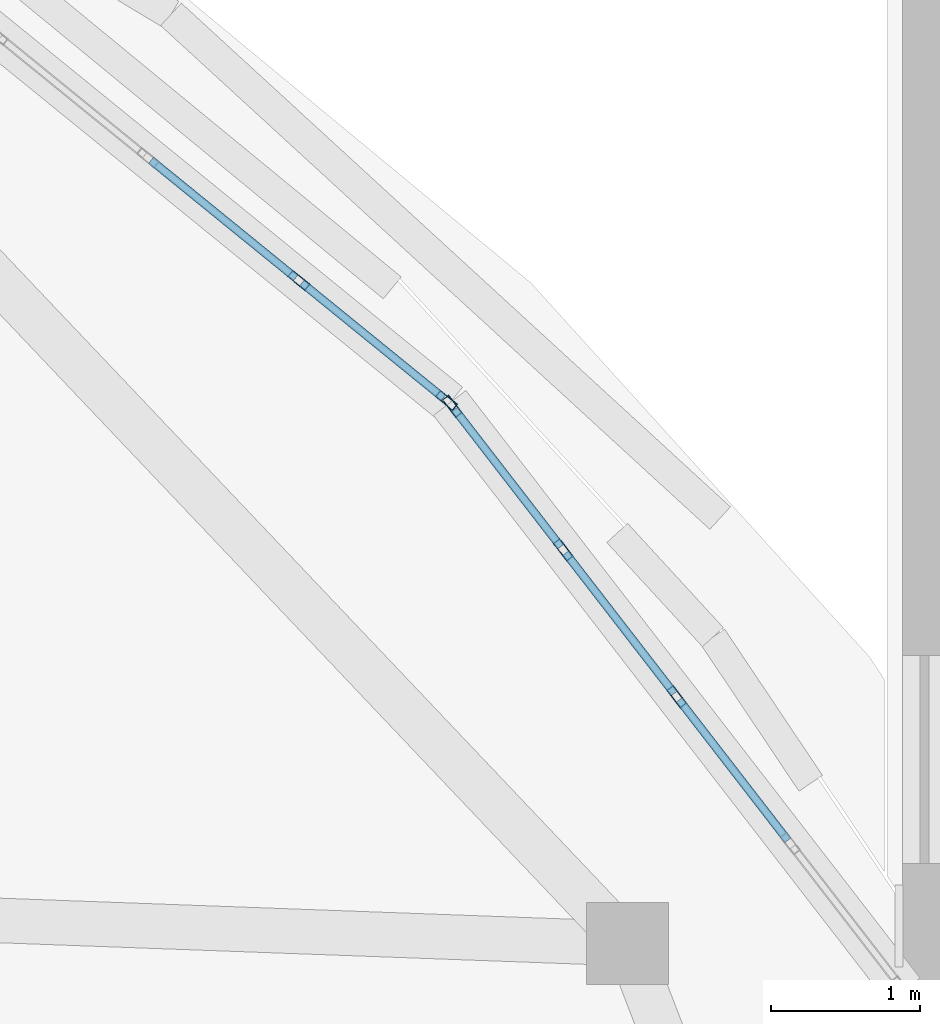
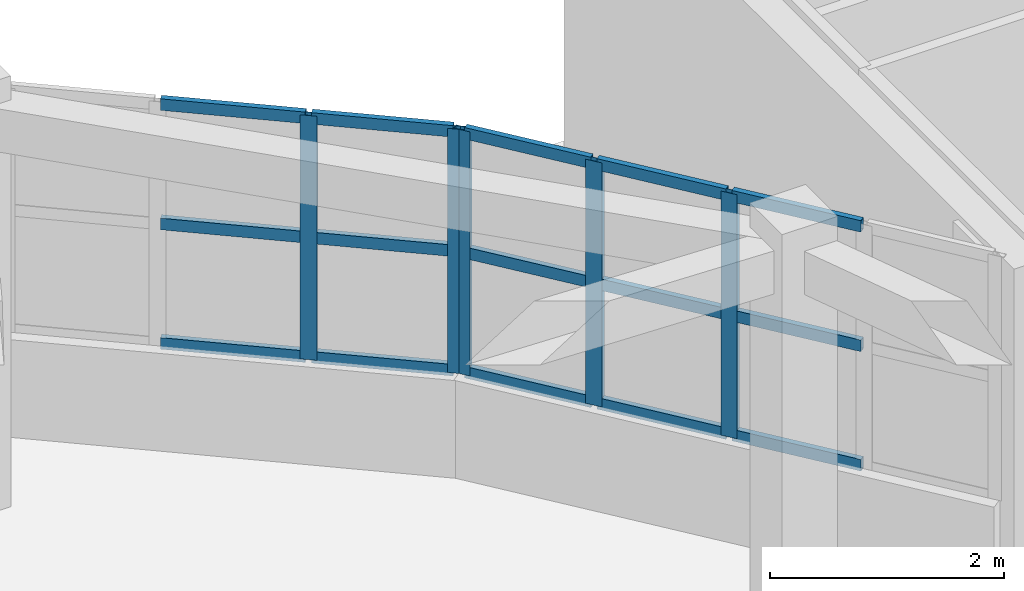
# One storey, part 23 of 46: 20 members, 2 elements without a shape of their own.
"""IFC4 building model written with IfcOpenShell, lengths in metres."""

from ifc_helpers import new_model, si_unit, direction, frame, origin, origin_2d, place, context, subcontext, project, spatial, hollow_rectangle, extrude, material, layer, layer_set, material_profile, profile_set, type_object, element, aggregate, save


model = new_model("IFC4")

# Units and contexts
model_context = context("Model", 3, precision=1e-05, world=origin(), true_north=direction((0.0, 1.0)))
body_context = subcontext(model_context, "Body", "Model", "MODEL_VIEW")
ifc_project = project(units=[si_unit("LENGTHUNIT", "METRE"), si_unit("AREAUNIT", "SQUARE_METRE"), si_unit("VOLUMEUNIT", "CUBIC_METRE"), si_unit("PLANEANGLEUNIT", "RADIAN"), si_unit("MASSUNIT", "GRAM", prefix="KILO")], contexts=[model_context])

# Site, building, storey
site_placement = place(None, origin())
site = spatial("IfcSite", under=ifc_project, at=site_placement, CompositionType="ELEMENT")
building_placement = place(site_placement, origin())
building = spatial("IfcBuilding", under=site, at=building_placement, Name="Pelvatis Terrace Science Centre", CompositionType="ELEMENT")
storey_placement = place(building_placement, frame((0.0, 0.0, 19.800048828125)))
storey = spatial("IfcBuildingStorey", under=building, at=storey_placement, Name="L04", CompositionType="ELEMENT", Elevation=19.800048828125)

# Curtain wall, members
ifc_material_1 = material(Name="Bronze-anodised aluminium and laminated glass", Category="aluminium")
ifc_layer = layer(ifc_material_1, 0.14990234375)
ifc_layer_set = layer_set([ifc_layer], Name="Bronze-anodised aluminium and laminated glass")
curtain_wall_type = type_object("IfcCurtainWallType", Name="CW-PASSAGE-C", PredefinedType="NOTDEFINED", material=ifc_layer_set)
curtain_wall_1_placement = place(storey_placement, origin())
curtain_wall_1 = element("IfcCurtainWall", 1, at=curtain_wall_1_placement, inside=storey, type_object=curtain_wall_type, Name="Ribbon curtain wall CW-213 (L04)", PredefinedType="NOTDEFINED")
ifc_material_2 = material(Name="Bronze-anodised aluminium 6063-T6", Category="aluminium")
ifc_material_profile_1 = material_profile(ifc_material_2, hollow_rectangle(XDim=0.054931640625, YDim=0.14990234375, WallThickness=0.00390625, at=origin_2d()), Name="ALU-MUL 55x150")
ifc_profile_set_1 = profile_set([ifc_material_profile_1], Name="Bronze-anodised aluminium 6063-T6")
member_type_1 = type_object("IfcMemberType", Name="CWM-55x150", PredefinedType="MULLION", material=ifc_profile_set_1)
member_1_placement = place(storey_placement, frame((131.181884765625, 95.623046875, 1.02001953125), z_axis=(0.0, 0.0, 1.0), x_axis=(-0.791180678019, -0.611582483994, 0.0)))
member_1 = element("IfcMember", 2, at=member_1_placement, type_object=member_type_1, Name="CW-213 mullion 3", PredefinedType="MULLION", context=body_context, shape_type="SweptSolid", body=[
    extrude(hollow_rectangle(XDim=0.054931640625, YDim=0.14990234375, WallThickness=0.00390625, at=origin_2d()), origin(), (0.0, 0.0, 1.0), 2.550048828125),
])
member_2_placement = place(storey_placement, frame((130.41796875, 96.611572265625, 1.02001953125), z_axis=(0.0, 0.0, 1.0), x_axis=(-0.791180678019, -0.611582483994, 0.0)))
member_2 = element("IfcMember", 3, at=member_2_placement, type_object=member_type_1, Name="CW-213 mullion 4", PredefinedType="MULLION", context=body_context, shape_type="SweptSolid", body=[
    extrude(hollow_rectangle(XDim=0.054931640625, YDim=0.14990234375, WallThickness=0.00390625, at=origin_2d()), origin(), (0.0, 0.0, 1.0), 2.550048828125),
])
member_3_placement = place(storey_placement, frame((129.6708984375, 97.578125, 1.02001953125), z_axis=(0.0, 0.0, 1.0), x_axis=(-0.791180678019, -0.611582483994, 0.0)))
member_3 = element("IfcMember", 4, at=member_3_placement, type_object=member_type_1, Name="CW-213 mullion 5", PredefinedType="MULLION", context=body_context, shape_type="SweptSolid", body=[
    extrude(hollow_rectangle(XDim=0.054931640625, YDim=0.14990234375, WallThickness=0.00390625, at=origin_2d()), origin(), (0.0, 0.0, 1.0), 2.550048828125),
])

curtain_wall_2_placement = place(storey_placement, origin())
curtain_wall_2 = element("IfcCurtainWall", 5, at=curtain_wall_2_placement, inside=storey, type_object=curtain_wall_type, Name="Ribbon curtain wall CW-214 (L04)", PredefinedType="NOTDEFINED")
member_4_placement = place(storey_placement, frame((129.632568359375, 97.6171875, 1.02001953125), z_axis=(0.0, 0.0, 1.0), x_axis=(-0.630757324963, -0.775980152456, 0.0)))
member_4 = element("IfcMember", 6, at=member_4_placement, type_object=member_type_1, Name="CW-214 mullion 1", PredefinedType="MULLION", context=body_context, shape_type="SweptSolid", body=[
    extrude(hollow_rectangle(XDim=0.054931640625, YDim=0.14990234375, WallThickness=0.00390625, at=origin_2d()), origin(), (0.0, 0.0, 1.0), 2.550048828125),
])
member_5_placement = place(storey_placement, frame((128.638671875, 98.425048828125, 1.02001953125), z_axis=(0.0, 0.0, 1.0), x_axis=(-0.630757324963, -0.775980152456, 0.0)))
member_5 = element("IfcMember", 7, at=member_5_placement, type_object=member_type_1, Name="CW-214 mullion 2", PredefinedType="MULLION", context=body_context, shape_type="SweptSolid", body=[
    extrude(hollow_rectangle(XDim=0.054931640625, YDim=0.14990234375, WallThickness=0.00390625, at=origin_2d()), origin(), (0.0, 0.0, 1.0), 2.550048828125),
])

# Member
ifc_material_3 = material(Name="Bronze-anodised aluminium 6063-T6", Category="aluminium")
ifc_material_profile_2 = material_profile(ifc_material_3, hollow_rectangle(XDim=0.054931640625, YDim=0.1201171875, WallThickness=0.00341796875, at=origin_2d()), Name="ALU-TRN 55x120")
ifc_profile_set_2 = profile_set([ifc_material_profile_2], Name="Bronze-anodised aluminium 6063-T6")
member_type_2 = type_object("IfcMemberType", Name="CWT-55x120", PredefinedType="USERDEFINED", material=ifc_profile_set_2)
member_6_placement = place(storey_placement, frame((131.92919921875, 94.656494140625, 1.04736328125), z_axis=(-0.611645297395, 0.791132119291, 0.0), x_axis=(-0.791132119291, -0.611645297395, 0.0)))
member_6 = element("IfcMember", 8, at=member_6_placement, type_object=member_type_2, Name="CW-213 transom 2.1", ObjectType="TRANSOM", PredefinedType="USERDEFINED", context=body_context, shape_type="SweptSolid", body=[
    extrude(hollow_rectangle(XDim=0.054931640625, YDim=0.1201171875, WallThickness=0.00341796875, at=origin_2d()), origin(), (0.0, 0.0, 1.0), 1.1943359375),
])

member_7_placement = place(storey_placement, frame((131.92919921875, 94.656494140625, 2.294921875), z_axis=(-0.611645297395, 0.791132119291, 0.0), x_axis=(-0.791132119291, -0.611645297395, 0.0)))
member_7 = element("IfcMember", 9, at=member_7_placement, type_object=member_type_2, Name="CW-213 transom 2.2", ObjectType="TRANSOM", PredefinedType="USERDEFINED", context=body_context, shape_type="SweptSolid", body=[
    extrude(hollow_rectangle(XDim=0.054931640625, YDim=0.1201171875, WallThickness=0.00341796875, at=origin_2d()), origin(), (0.0, 0.0, 1.0), 1.1943359375),
])

member_8_placement = place(storey_placement, frame((131.92919921875, 94.656494140625, 3.54248046875), z_axis=(-0.611645297395, 0.791132119291, 0.0), x_axis=(-0.791132119291, -0.611645297395, 0.0)))
member_8 = element("IfcMember", 10, at=member_8_placement, type_object=member_type_2, Name="CW-213 transom 2.3", ObjectType="TRANSOM", PredefinedType="USERDEFINED", context=body_context, shape_type="SweptSolid", body=[
    extrude(hollow_rectangle(XDim=0.054931640625, YDim=0.1201171875, WallThickness=0.00341796875, at=origin_2d()), origin(), (0.0, 0.0, 1.0), 1.1943359375),
])

member_9_placement = place(storey_placement, frame((131.1650390625, 95.64501953125, 1.04736328125), z_axis=(-0.611616260488, 0.791154567646, 0.0), x_axis=(-0.791154567646, -0.611616260488, 0.0)))
member_9 = element("IfcMember", 11, at=member_9_placement, type_object=member_type_2, Name="CW-213 transom 3.1", ObjectType="TRANSOM", PredefinedType="USERDEFINED", context=body_context, shape_type="SweptSolid", body=[
    extrude(hollow_rectangle(XDim=0.054931640625, YDim=0.1201171875, WallThickness=0.00341796875, at=origin_2d()), origin(), (0.0, 0.0, 1.0), 1.19384765625),
])

member_10_placement = place(storey_placement, frame((131.1650390625, 95.64501953125, 2.294921875), z_axis=(-0.611616260488, 0.791154567646, 0.0), x_axis=(-0.791154567646, -0.611616260488, 0.0)))
member_10 = element("IfcMember", 12, at=member_10_placement, type_object=member_type_2, Name="CW-213 transom 3.2", ObjectType="TRANSOM", PredefinedType="USERDEFINED", context=body_context, shape_type="SweptSolid", body=[
    extrude(hollow_rectangle(XDim=0.054931640625, YDim=0.1201171875, WallThickness=0.00341796875, at=origin_2d()), origin(), (0.0, 0.0, 1.0), 1.19384765625),
])

member_11_placement = place(storey_placement, frame((131.1650390625, 95.64501953125, 3.54248046875), z_axis=(-0.611616260488, 0.791154567646, 0.0), x_axis=(-0.791154567646, -0.611616260488, 0.0)))
member_11 = element("IfcMember", 13, at=member_11_placement, type_object=member_type_2, Name="CW-213 transom 3.3", ObjectType="TRANSOM", PredefinedType="USERDEFINED", context=body_context, shape_type="SweptSolid", body=[
    extrude(hollow_rectangle(XDim=0.054931640625, YDim=0.1201171875, WallThickness=0.00341796875, at=origin_2d()), origin(), (0.0, 0.0, 1.0), 1.19384765625),
])

member_12_placement = place(storey_placement, frame((130.401123046875, 96.63330078125, 1.04736328125), z_axis=(-0.611489191946, 0.791252783966, 0.0), x_axis=(-0.791252783966, -0.611489191946, 0.0)))
member_12 = element("IfcMember", 14, at=member_12_placement, type_object=member_type_2, Name="CW-213 transom 4.1", ObjectType="TRANSOM", PredefinedType="USERDEFINED", context=body_context, shape_type="SweptSolid", body=[
    extrude(hollow_rectangle(XDim=0.054931640625, YDim=0.1201171875, WallThickness=0.00341796875, at=origin_2d()), origin(), (0.0, 0.0, 1.0), 1.16650390625),
])

member_13_placement = place(storey_placement, frame((130.401123046875, 96.63330078125, 2.294921875), z_axis=(-0.611489191946, 0.791252783966, 0.0), x_axis=(-0.791252783966, -0.611489191946, 0.0)))
member_13 = element("IfcMember", 15, at=member_13_placement, type_object=member_type_2, Name="CW-213 transom 4.2", ObjectType="TRANSOM", PredefinedType="USERDEFINED", context=body_context, shape_type="SweptSolid", body=[
    extrude(hollow_rectangle(XDim=0.054931640625, YDim=0.1201171875, WallThickness=0.00341796875, at=origin_2d()), origin(), (0.0, 0.0, 1.0), 1.16650390625),
])

member_14_placement = place(storey_placement, frame((130.401123046875, 96.63330078125, 3.54248046875), z_axis=(-0.611489191946, 0.791252783966, 0.0), x_axis=(-0.791252783966, -0.611489191946, 0.0)))
member_14 = element("IfcMember", 16, at=member_14_placement, type_object=member_type_2, Name="CW-213 transom 4.3", ObjectType="TRANSOM", PredefinedType="USERDEFINED", context=body_context, shape_type="SweptSolid", body=[
    extrude(hollow_rectangle(XDim=0.054931640625, YDim=0.1201171875, WallThickness=0.00341796875, at=origin_2d()), origin(), (0.0, 0.0, 1.0), 1.16650390625),
])

aggregate(curtain_wall_1, [member_1, member_2, member_3, member_6, member_7, member_8, member_9, member_10, member_11, member_12, member_13, member_14])

member_15_placement = place(storey_placement, frame((129.611328125, 97.634521484375, 1.04736328125), z_axis=(-0.776046991119, 0.630675088754, 0.0), x_axis=(-0.630675088754, -0.776046991119, 0.0)))
member_15 = element("IfcMember", 17, at=member_15_placement, type_object=member_type_2, Name="CW-214 transom 1.1", ObjectType="TRANSOM", PredefinedType="USERDEFINED", context=body_context, shape_type="SweptSolid", body=[
    extrude(hollow_rectangle(XDim=0.054931640625, YDim=0.1201171875, WallThickness=0.00341796875, at=origin_2d()), origin(), (0.0, 0.0, 1.0), 1.22607421875),
])

member_16_placement = place(storey_placement, frame((129.611328125, 97.634521484375, 2.294921875), z_axis=(-0.776046991119, 0.630675088754, 0.0), x_axis=(-0.630675088754, -0.776046991119, 0.0)))
member_16 = element("IfcMember", 18, at=member_16_placement, type_object=member_type_2, Name="CW-214 transom 1.2", ObjectType="TRANSOM", PredefinedType="USERDEFINED", context=body_context, shape_type="SweptSolid", body=[
    extrude(hollow_rectangle(XDim=0.054931640625, YDim=0.1201171875, WallThickness=0.00341796875, at=origin_2d()), origin(), (0.0, 0.0, 1.0), 1.22607421875),
])

member_17_placement = place(storey_placement, frame((129.611328125, 97.634521484375, 3.54248046875), z_axis=(-0.776046991119, 0.630675088754, 0.0), x_axis=(-0.630675088754, -0.776046991119, 0.0)))
member_17 = element("IfcMember", 19, at=member_17_placement, type_object=member_type_2, Name="CW-214 transom 1.3", ObjectType="TRANSOM", PredefinedType="USERDEFINED", context=body_context, shape_type="SweptSolid", body=[
    extrude(hollow_rectangle(XDim=0.054931640625, YDim=0.1201171875, WallThickness=0.00341796875, at=origin_2d()), origin(), (0.0, 0.0, 1.0), 1.22607421875),
])

member_18_placement = place(storey_placement, frame((128.6171875, 98.4423828125, 1.04736328125), z_axis=(-0.775923329106, 0.630827224642, 0.0), x_axis=(-0.630827224642, -0.775923329106, 0.0)))
member_18 = element("IfcMember", 20, at=member_18_placement, type_object=member_type_2, Name="CW-214 transom 2.1", ObjectType="TRANSOM", PredefinedType="USERDEFINED", context=body_context, shape_type="SweptSolid", body=[
    extrude(hollow_rectangle(XDim=0.054931640625, YDim=0.1201171875, WallThickness=0.00341796875, at=origin_2d()), origin(), (0.0, 0.0, 1.0), 1.253662109375),
])

member_19_placement = place(storey_placement, frame((128.6171875, 98.4423828125, 2.294921875), z_axis=(-0.775923329106, 0.630827224642, 0.0), x_axis=(-0.630827224642, -0.775923329106, 0.0)))
member_19 = element("IfcMember", 21, at=member_19_placement, type_object=member_type_2, Name="CW-214 transom 2.2", ObjectType="TRANSOM", PredefinedType="USERDEFINED", context=body_context, shape_type="SweptSolid", body=[
    extrude(hollow_rectangle(XDim=0.054931640625, YDim=0.1201171875, WallThickness=0.00341796875, at=origin_2d()), origin(), (0.0, 0.0, 1.0), 1.253662109375),
])

member_20_placement = place(storey_placement, frame((128.6171875, 98.4423828125, 3.54248046875), z_axis=(-0.775923329106, 0.630827224642, 0.0), x_axis=(-0.630827224642, -0.775923329106, 0.0)))
member_20 = element("IfcMember", 22, at=member_20_placement, type_object=member_type_2, Name="CW-214 transom 2.3", ObjectType="TRANSOM", PredefinedType="USERDEFINED", context=body_context, shape_type="SweptSolid", body=[
    extrude(hollow_rectangle(XDim=0.054931640625, YDim=0.1201171875, WallThickness=0.00341796875, at=origin_2d()), origin(), (0.0, 0.0, 1.0), 1.253662109375),
])

aggregate(curtain_wall_2, [member_4, member_5, member_15, member_16, member_17, member_18, member_19, member_20])

save(model, "model.ifc")
